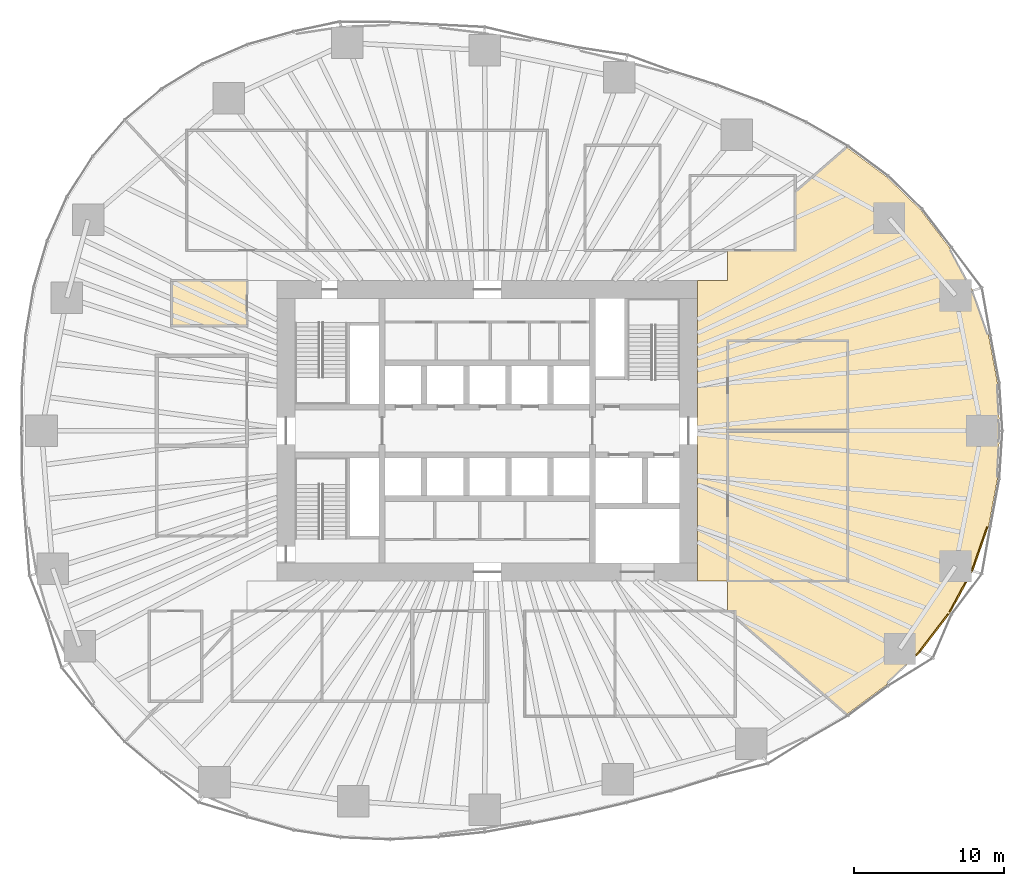
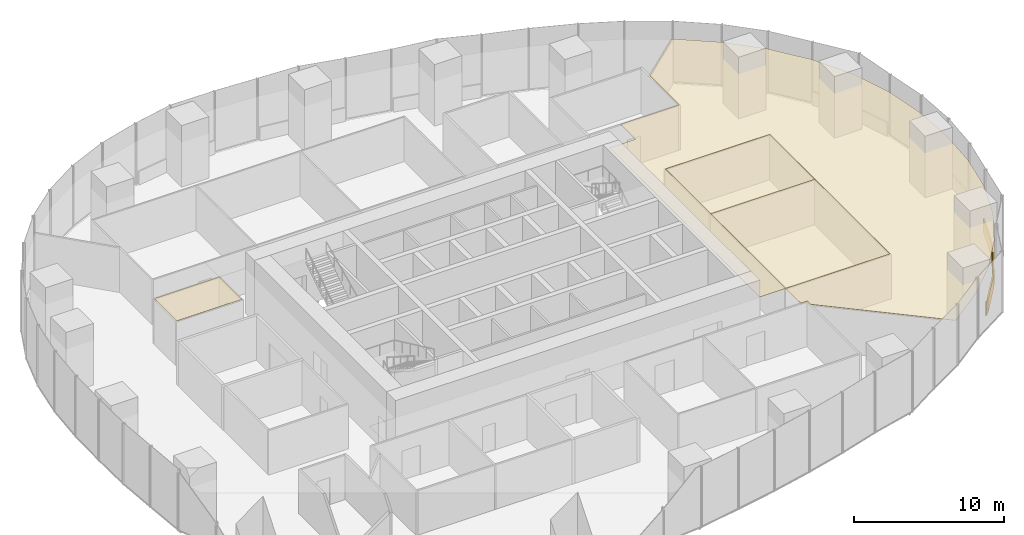
# One storey, part 18 of 20: 8 coverings.
"""IFC4 building model written with IfcOpenShell, lengths in metres."""

import ifcopenshell
import ifcopenshell.guid

model = None  # the IFC model being written
_history = None  # IfcOwnerHistory: only IFC2X3 demands one
_inside = {}  # id of a spatial element -> (the spatial element, [elements in it])
_under = {}  # id of a project, library or spatial element -> (it, [spatial elements below it])
_declared = {}  # id of a project -> (the project, [libraries it declares])
_typed = {}  # id of a type object -> (the type object, [elements of that type])
_made_of = {}  # id of a material, layer set ... -> (it, [elements and type objects made of it])


def new_model(schema):
    """Start an empty IFC model of exactly this schema.

    Asked for "IFC4X3", IfcOpenShell would pick the latest addendum, in which some entities
    have other attributes; the version numbers below select the first issue.
    IFC2X3 requires an IfcOwnerHistory on every rooted entity: one is made here for all.
    """
    global model, _history
    if schema == "IFC4X3":
        model = ifcopenshell.file(schema_version=(4, 3, 0, 0))
    else:
        model = ifcopenshell.file(schema=schema)
    _inside.clear()
    _under.clear()
    _declared.clear()
    _typed.clear()
    _made_of.clear()
    _history = None
    if model.schema == "IFC2X3":
        org = make("IfcOrganization", Name="unknown")
        user = make(
            "IfcPersonAndOrganization",
            ThePerson=make("IfcPerson", FamilyName="unknown"),
            TheOrganization=org,
        )
        app = make(
            "IfcApplication",
            ApplicationDeveloper=org,
            Version="unknown",
            ApplicationFullName="unknown",
            ApplicationIdentifier="unknown",
        )
        _history = make(
            "IfcOwnerHistory",
            OwningUser=user,
            OwningApplication=app,
            ChangeAction="ADDED",
            CreationDate=0,
        )
    return model


def make(cls, **values):
    """One entity of the class cls with the attributes given. An attribute that is None is left unset."""
    return model.create_entity(
        cls, **{name: value for name, value in values.items() if value is not None}
    )


def rooted(cls, **values):
    """An entity with a GlobalId (a new one), such as an element, a storey or a relation."""
    return make(cls, GlobalId=ifcopenshell.guid.new(), OwnerHistory=_history, **values)


def si_unit(unit_type, name, prefix=None):
    """IfcSIUnit, for example si_unit("LENGTHUNIT", "METRE", prefix="MILLI")."""
    return make("IfcSIUnit", UnitType=unit_type, Prefix=prefix, Name=name)


def assignment(units):
    """IfcUnitAssignment: the units of a project."""
    return None if units is None else make("IfcUnitAssignment", Units=units)


def point(xyz):
    """IfcCartesianPoint."""
    return None if xyz is None else make("IfcCartesianPoint", Coordinates=xyz)


def direction(xyz):
    """IfcDirection."""
    return None if xyz is None else make("IfcDirection", DirectionRatios=xyz)


def frame(location, z_axis=None, x_axis=None):
    """IfcAxis2Placement3D, a coordinate frame: its origin and axes. An axis left out is left unset."""
    return make(
        "IfcAxis2Placement3D",
        Location=point(location),
        Axis=direction(z_axis),
        RefDirection=direction(x_axis),
    )


def frame_2d(location, x_axis=None):
    """IfcAxis2Placement2D, a coordinate frame in the plane: its origin and x axis."""
    return make(
        "IfcAxis2Placement2D", Location=point(location), RefDirection=direction(x_axis)
    )


def origin():
    """The frame at (0, 0, 0) with its axes left unset."""
    return frame((0.0, 0.0, 0.0))


def origin_2d():
    """The frame at (0, 0) in the plane with its x axis left unset."""
    return frame_2d((0.0, 0.0))


def place(relative_to, where):
    """IfcLocalPlacement: puts the frame where relative to a parent placement (None: the world)."""
    return make(
        "IfcLocalPlacement", PlacementRelTo=relative_to, RelativePlacement=where
    )


def context(
    kind, dimensions, precision=None, world=None, true_north=None, identifier=None
):
    """IfcGeometricRepresentationContext, for example the 3D "Model" context."""
    return make(
        "IfcGeometricRepresentationContext",
        ContextIdentifier=identifier,
        ContextType=kind,
        CoordinateSpaceDimension=dimensions,
        Precision=precision,
        WorldCoordinateSystem=world,
        TrueNorth=true_north,
    )


def subcontext(parent, identifier, kind, view, scale=None):
    """IfcGeometricRepresentationSubContext, for example "Body" below "Model"."""
    return make(
        "IfcGeometricRepresentationSubContext",
        ContextIdentifier=identifier,
        ContextType=kind,
        ParentContext=parent,
        TargetScale=scale,
        TargetView=view,
    )


def project(units=None, contexts=None):
    """IfcProject with its units and contexts."""
    return rooted(
        "IfcProject",
        Name="project",
        RepresentationContexts=contexts,
        UnitsInContext=assignment(units),
    )


def spatial(cls, under=None, at=None, **own):
    """A site, building, storey or space (cls), placed at a placement, below another one or the project."""
    s = rooted(cls, ObjectPlacement=at, **own)
    if under is not None:
        _under.setdefault(under.id(), (under, []))[1].append(s)
    return s


def polyline(points):
    """IfcPolyline through the points."""
    return make("IfcPolyline", Points=[point(p) for p in points])


def profile(cls, at=None, kind="AREA", **sizes):
    """A parametric profile (cls). Its sizes go by their IFC names, for example OverallWidth=200.0."""
    return make(cls, ProfileType=kind, Position=at, **sizes)


def rectangle(**sizes):
    """IfcRectangleProfileDef."""
    return profile("IfcRectangleProfileDef", **sizes)


def outline(outer, holes=None, kind="AREA"):
    """IfcArbitraryClosedProfileDef: a profile drawn as a closed curve; with holes, ...WithVoids."""
    if holes is None:
        return make("IfcArbitraryClosedProfileDef", ProfileType=kind, OuterCurve=outer)
    return make(
        "IfcArbitraryProfileDefWithVoids",
        ProfileType=kind,
        OuterCurve=outer,
        InnerCurves=holes,
    )


def extrude(swept, where, along, depth):
    """IfcExtrudedAreaSolid: the profile swept, set in the frame where, extruded along a direction by depth."""
    return make(
        "IfcExtrudedAreaSolid",
        SweptArea=swept,
        Position=where,
        ExtrudedDirection=direction(along),
        Depth=depth,
    )


def shape(context_of_items, identifier, shape_type, items):
    """IfcShapeRepresentation: the items that make up one representation, for example the "Body"."""
    return make(
        "IfcShapeRepresentation",
        ContextOfItems=context_of_items,
        RepresentationIdentifier=identifier,
        RepresentationType=shape_type,
        Items=items,
    )


def material(Name=None, Category=None):
    """IfcMaterial."""
    return make("IfcMaterial", Name=Name, Category=Category)


def layer(
    of_material, thickness, ventilated=None, Name=None, Category=None, Priority=None
):
    """IfcMaterialLayer: one layer of a wall or slab, of a material (None: an air gap)."""
    return make(
        "IfcMaterialLayer",
        Material=of_material,
        LayerThickness=thickness,
        IsVentilated=ventilated,
        Name=Name,
        Category=Category,
        Priority=Priority,
    )


def layer_set(layers, Name=None):
    """IfcMaterialLayerSet."""
    return make("IfcMaterialLayerSet", MaterialLayers=layers, LayerSetName=Name)


def made_of(thing, what):
    """Note that an element or type object is made of a material, layer set ...; save() writes the relation."""
    if what is not None:
        _made_of.setdefault(what.id(), (what, []))[1].append(thing)
    return thing


def type_object(cls, material=None, **own):
    """A type object (cls), such as IfcWallType, which elements share."""
    return made_of(rooted(cls, **own), material)


def element(
    cls,
    number,
    at=None,
    inside=None,
    cuts=None,
    type_object=None,
    material=None,
    context=None,
    identifier="Body",
    shape_type=None,
    held_by="IfcProductDefinitionShape",
    body=None,
    shapes=None,
    **own,
):
    """One element of the class cls, such as IfcWall. Its Tag is "e" and its number.

    at: its placement. inside: the storey or other place that contains it. cuts: it is an
    opening in that element (IfcRelVoidsElement). A single representation is given by context,
    identifier, shape_type and body (its items); several are given by shapes. held_by: the class
    of the entity that holds the representations. save() writes the other relations.
    """
    e = rooted(cls, Tag="e%d" % number, ObjectPlacement=at, **own)
    if body is not None:
        shapes = [shape(context, identifier, shape_type, body)]
    if shapes is not None:
        e.Representation = make(held_by, Representations=shapes)
    if inside is not None:
        _inside.setdefault(inside.id(), (inside, []))[1].append(e)
    if cuts is not None:
        rooted(
            "IfcRelVoidsElement", RelatingBuildingElement=cuts, RelatedOpeningElement=e
        )
    if type_object is not None:
        _typed.setdefault(type_object.id(), (type_object, []))[1].append(e)
    return made_of(e, material)


def aggregate(whole, parts):
    """IfcRelAggregates: a whole, such as a stair, and the parts it consists of."""
    return rooted("IfcRelAggregates", RelatingObject=whole, RelatedObjects=parts)


def save(model, path):
    """Write the relations noted so far, then the file.

    IfcRelAggregates (storeys below a building ...), IfcRelContainedInSpatialStructure (elements
    in a storey), IfcRelDefinesByType, IfcRelAssociatesMaterial and IfcRelDeclares: one each for
    every whole, place, type object, material and project.
    """
    for whole, parts in _under.values():
        aggregate(whole, parts)
    for where, things in _inside.values():
        rooted(
            "IfcRelContainedInSpatialStructure",
            RelatedElements=things,
            RelatingStructure=where,
        )
    for kind, things in _typed.values():
        rooted("IfcRelDefinesByType", RelatedObjects=things, RelatingType=kind)
    for what, things in _made_of.values():
        rooted("IfcRelAssociatesMaterial", RelatedObjects=things, RelatingMaterial=what)
    for by, libraries in _declared.values():
        rooted("IfcRelDeclares", RelatingContext=by, RelatedDefinitions=libraries)
    model.write(path)


model = new_model("IFC4")

# Units and contexts
model_context = context("Model", 3, precision=1e-05, world=origin(), true_north=direction((0.0, 1.0)))
body_context = subcontext(model_context, "Body", "Model", "MODEL_VIEW")
ifc_project = project(units=[si_unit("LENGTHUNIT", "METRE"), si_unit("AREAUNIT", "SQUARE_METRE"), si_unit("VOLUMEUNIT", "CUBIC_METRE"), si_unit("PLANEANGLEUNIT", "RADIAN"), si_unit("MASSUNIT", "GRAM", prefix="KILO")], contexts=[model_context])

# Site, building, storey
site_placement = place(None, origin())
site = spatial("IfcSite", under=ifc_project, at=site_placement, CompositionType="ELEMENT")
building_placement = place(site_placement, origin())
building = spatial("IfcBuilding", under=site, at=building_placement, Name="Ghaith Harvest Tower", CompositionType="ELEMENT")
storey_placement = place(building_placement, frame((0.0, 0.0, 35.0)))
storey = spatial("IfcBuildingStorey", under=building, at=storey_placement, Name="L07", CompositionType="ELEMENT", Elevation=35.0)

# Coverings
ifc_material_1 = material(Name="Mineral fibre ceiling tile", Category="gypsum")
ifc_layer_1 = layer(ifc_material_1, 0.02490234375)
ifc_layer_set_1 = layer_set([ifc_layer_1], Name="CEILING C2")
covering_type_1 = type_object("IfcCoveringType", Name="CEILING C2", PredefinedType="CEILING", material=ifc_layer_set_1)
covering_1_placement = place(storey_placement, frame((0.0, 0.0, 3.60009765625)))
element("IfcCovering", 1, at=covering_1_placement, inside=storey, type_object=covering_type_1, Name="Ceiling L07-05", PredefinedType="CEILING", context=body_context, shape_type="SweptSolid", body=[
    extrude(outline(polyline([(16.0, -10.0), (24.0, -10.0), (24.0, 0.0), (16.0, 0.0), (16.0, -10.0)])), origin(), (0.0, 0.0, 1.0), 0.02490234375),
])
covering_2_placement = place(storey_placement, frame((0.0, 0.0, 3.60009765625)))
element("IfcCovering", 2, at=covering_2_placement, inside=storey, type_object=covering_type_1, Name="Ceiling L07-06", PredefinedType="CEILING", context=body_context, shape_type="SweptSolid", body=[
    extrude(outline(polyline([(16.0, 0.0), (24.0, 0.0), (24.0, 6.0), (16.0, 6.0), (16.0, 0.0)])), origin(), (0.0, 0.0, 1.0), 0.02490234375),
])
covering_3_placement = place(storey_placement, frame((0.0, 0.0, 3.60009765625)))
element("IfcCovering", 3, at=covering_3_placement, inside=storey, type_object=covering_type_1, Name="Ceiling L07-16", PredefinedType="CEILING", context=body_context, shape_type="SweptSolid", body=[
    extrude(outline(polyline([(-21.0, 7.0), (-16.0, 7.0), (-16.0, 10.0), (-21.0, 10.0), (-21.0, 7.0)])), origin(), (0.0, 0.0, 1.0), 0.02490234375),
])
covering_4_placement = place(storey_placement, frame((0.0, 0.0, 3.60009765625)))
element("IfcCovering", 4, at=covering_4_placement, inside=storey, type_object=covering_type_1, Name="Ceiling L07-E1", PredefinedType="CEILING", context=body_context, shape_type="SweptSolid", body=[
    extrude(outline(polyline([(28.840087890625, 14.708984375), (30.78515625, 12.1708984375), (32.318359375, 9.3408203125), (33.37158203125, 6.333984375), (33.95849609375, 3.194091796875), (34.125, 0.0), (33.95849609375, -3.194091796875), (33.37158203125, -6.333984375), (32.318359375, -9.3408203125), (30.78515625, -12.1708984375), (28.840087890625, -14.708984375), (26.572509765625, -16.9111328125), (23.92431640625, -18.873046875), (16.5, -12.43359375), (16.5, -12.0), (16.0, -12.0), (16.0, -10.010009765625), (24.010009765625, -10.010009765625), (24.010009765625, 6.010009765625), (15.989990234375, 6.010009765625), (15.989990234375, -10.0), (14.0, -10.0), (14.0, 10.0), (16.0, 10.0), (16.0, 12.0), (20.5, 12.0), (20.5, 15.903076171875), (23.92431640625, 18.873046875), (26.572509765625, 16.9111328125), (28.840087890625, 14.708984375)])), origin(), (0.0, 0.0, 1.0), 0.02490234375),
])
ifc_material_2 = material(Name="Insulated aluminium spandrel panel on steel framing", Category="steel")
ifc_layer_2 = layer(ifc_material_2, 0.10009765625)
ifc_layer_set_2 = layer_set([ifc_layer_2], Name="SLAB EDGE UPSTAND 1100x100")
covering_type_2 = type_object("IfcCoveringType", Name="SLAB EDGE UPSTAND 1100x100", PredefinedType="CLADDING", material=ifc_layer_set_2)
covering_5_placement = place(storey_placement, frame((28.674560546875, -14.800048828125, 0.0), z_axis=(0.0, 0.0, 1.0), x_axis=(0.717386427289, 0.69667547247, 0.0)))
element("IfcCovering", 5, at=covering_5_placement, inside=storey, type_object=covering_type_2, Name="Slab edge upstand 1 bay 19 L07", PredefinedType="CLADDING", context=body_context, shape_type="SweptSolid", body=[
    extrude(rectangle(XDim=0.364501953125, YDim=0.10009765625, at=origin_2d()), origin(), (0.0, 0.0, 1.0), 1.10009765625),
])
covering_6_placement = place(storey_placement, frame((29.74267578125, -13.44921875, 0.0), z_axis=(0.0, 0.0, 1.0), x_axis=(0.608255123652, 0.7937415855, 0.0)))
element("IfcCovering", 6, at=covering_6_placement, inside=storey, type_object=covering_type_2, Name="Slab edge upstand 2 bay 19 L07", PredefinedType="CLADDING", context=body_context, shape_type="SweptSolid", body=[
    extrude(rectangle(XDim=3.09765625, YDim=0.10009765625, at=origin_2d()), origin(), (0.0, 0.0, 1.0), 1.10009765625),
])
covering_7_placement = place(storey_placement, frame((31.32177734375, -11.075439453125, 0.0), z_axis=(0.0, 0.0, 1.0), x_axis=(0.4763492928, 0.879256135178, 0.0)))
element("IfcCovering", 7, at=covering_7_placement, inside=storey, type_object=covering_type_2, Name="Slab edge upstand 3 bay 19 L07", PredefinedType="CLADDING", context=body_context, shape_type="SweptSolid", body=[
    extrude(rectangle(XDim=2.237548828125, YDim=0.10009765625, at=origin_2d()), origin(), (0.0, 0.0, 1.0), 1.10009765625),
])
covering_8_placement = place(storey_placement, frame((32.7822265625, -7.865234375, 0.0), z_axis=(0.0, 0.0, 1.0), x_axis=(0.330597697302, 0.943771774604, 0.0)))
element("IfcCovering", 8, at=covering_8_placement, inside=storey, type_object=covering_type_2, Name="Slab edge upstand 1 bay 20 L07", PredefinedType="CLADDING", context=body_context, shape_type="SweptSolid", body=[
    extrude(rectangle(XDim=3.080078125, YDim=0.10009765625, at=origin_2d()), origin(), (0.0, 0.0, 1.0), 1.10009765625),
])

save(model, "model.ifc")
